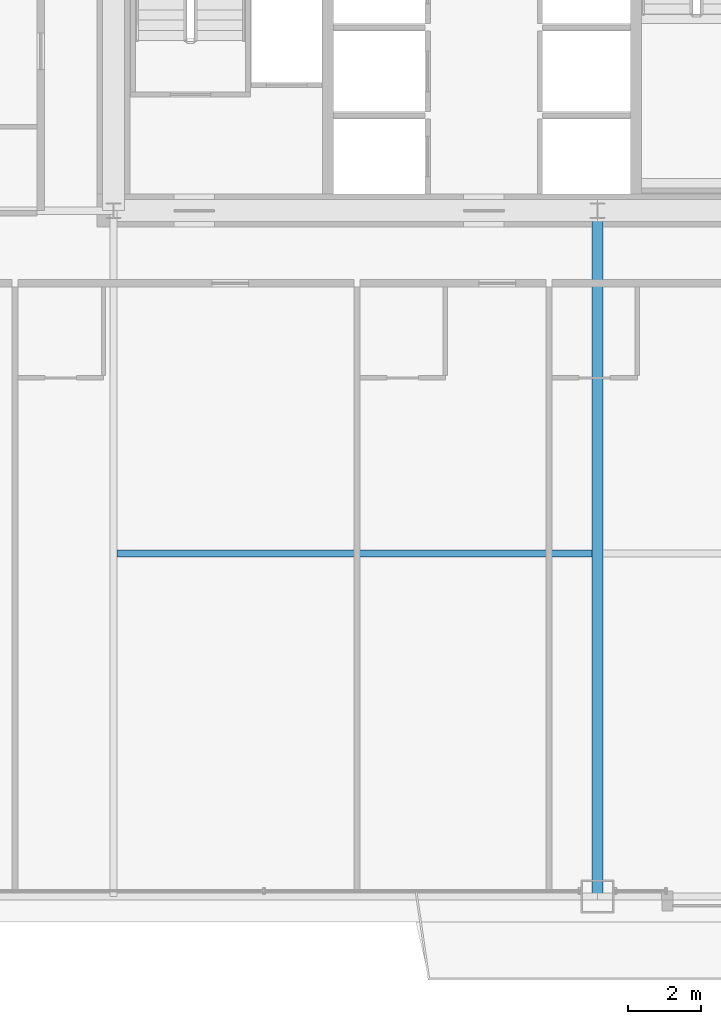
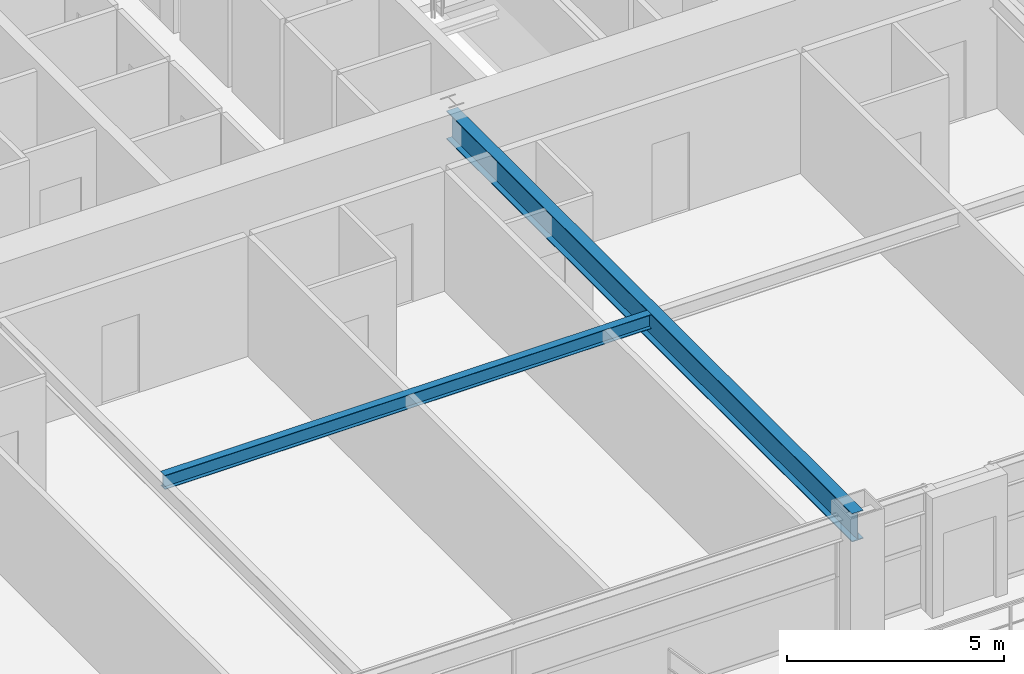
# One storey, part 10 of 43: 2 beams.
"""IFC4 building model written with IfcOpenShell, lengths in metres."""

from ifc_helpers import new_model, si_unit, direction, frame, origin, origin_2d, place, context, subcontext, project, spatial, i_section, extrude, source, transform, mapped, material, material_profile, profile_set, type_object, element, save


model = new_model("IFC4")

# Units and contexts
model_context = context("Model", 3, precision=1e-05, world=origin(), true_north=direction((0.0, 1.0)))
body_context = subcontext(model_context, "Body", "Model", "MODEL_VIEW")
ifc_project = project(units=[si_unit("LENGTHUNIT", "METRE"), si_unit("AREAUNIT", "SQUARE_METRE"), si_unit("VOLUMEUNIT", "CUBIC_METRE"), si_unit("PLANEANGLEUNIT", "RADIAN"), si_unit("MASSUNIT", "GRAM", prefix="KILO"), si_unit("THERMODYNAMICTEMPERATUREUNIT", "KELVIN"), si_unit("POWERUNIT", "WATT")], contexts=[model_context])

# Site, building, storey
site_placement = place(None, origin())
site = spatial("IfcSite", under=ifc_project, at=site_placement, CompositionType="ELEMENT")
building_placement = place(site_placement, origin())
building = spatial("IfcBuilding", under=site, at=building_placement, Name="Yuzanri Waterfront Tower", CompositionType="ELEMENT")
storey_placement = place(building_placement, frame((0.0, 0.0, 64.0)))
storey = spatial("IfcBuildingStorey", under=building, at=storey_placement, Name="L16", CompositionType="ELEMENT", Elevation=64.0)

# Beams
ifc_material_1 = material(Name="Steel Q355B", Category="steel")
ifc_material_profile_1 = material_profile(ifc_material_1, i_section(OverallWidth=0.300048828125, OverallDepth=0.800048828125, WebThickness=0.013916015625, FlangeThickness=0.02587890625, at=origin_2d()), Name="HN 800x300x14x26")
ifc_profile_set_1 = profile_set([ifc_material_profile_1], Name="Steel Q355B")
beam_type_1 = type_object("IfcBeamType", Name="Primary Floor Girder Q355B HN 800x300", PredefinedType="BEAM", material=ifc_profile_set_1)
shared_shape_1 = source(origin(), body_context, "Body", "SweptSolid", [
    extrude(i_section(OverallWidth=0.300048828125, OverallDepth=0.800048828125, WebThickness=0.013916015625, FlangeThickness=0.02587890625, at=origin_2d()), origin(), (0.0, 0.0, 1.0), 18.699951171875),
])
beam_1_placement = place(storey_placement, frame((37.0, 19.39990234375, 2.97998046875), z_axis=(0.0, -1.0, 0.0), x_axis=(1.0, 0.0, 0.0)))
element("IfcBeam", 1, at=beam_1_placement, inside=storey, type_object=beam_type_1, Name="L16 South Grid Girder", PredefinedType="BEAM", context=body_context, shape_type="MappedRepresentation", body=[
    mapped(shared_shape_1, transform((0.0, 0.0, 0.0), scale=1.0)),
])
ifc_material_2 = material(Name="Steel Q355B", Category="steel")
ifc_material_profile_2 = material_profile(ifc_material_2, i_section(OverallWidth=0.199951171875, OverallDepth=0.39990234375, WebThickness=0.008056640625, FlangeThickness=0.012939453125, at=origin_2d()), Name="HN 400x200x8x13")
ifc_profile_set_2 = profile_set([ifc_material_profile_2], Name="Steel Q355B")
beam_type_2 = type_object("IfcBeamType", Name="Floor Joist Q355B HN 400x200", PredefinedType="JOIST", material=ifc_profile_set_2)
shared_shape_2 = source(origin(), body_context, "Body", "SweptSolid", [
    extrude(i_section(OverallWidth=0.199951171875, OverallDepth=0.39990234375, WebThickness=0.008056640625, FlangeThickness=0.012939453125, at=origin_2d()), origin(), (0.0, 0.0, 1.0), 12.9501953125),
])
beam_2_placement = place(storey_placement, frame((23.89990234375, 10.050048828125, 3.179931640625), z_axis=(1.0, 0.0, 0.0), x_axis=(0.0, 1.0, 0.0)))
element("IfcBeam", 2, at=beam_2_placement, inside=storey, type_object=beam_type_2, Name="L16 South Bay Joist W", PredefinedType="JOIST", context=body_context, shape_type="MappedRepresentation", body=[
    mapped(shared_shape_2, transform((0.0, 0.0, 0.0), scale=1.0)),
])

save(model, "model.ifc")
